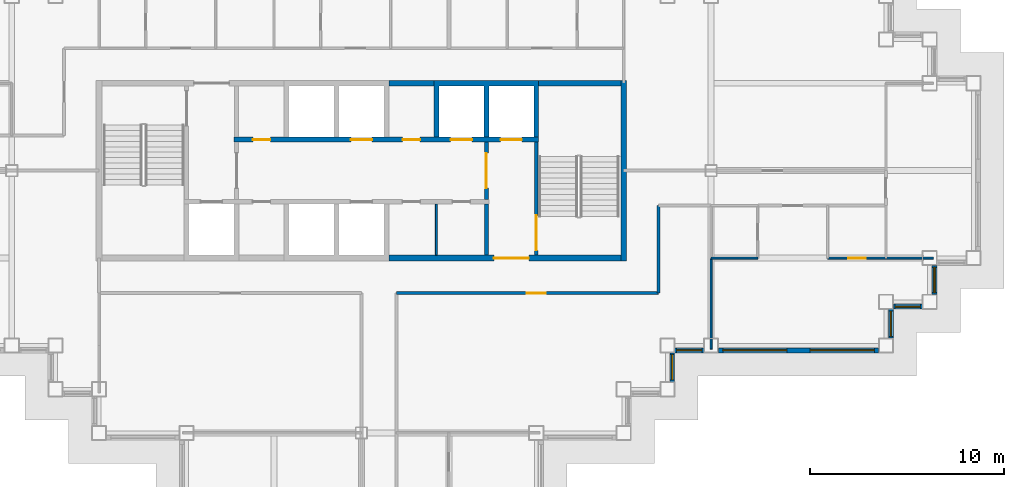
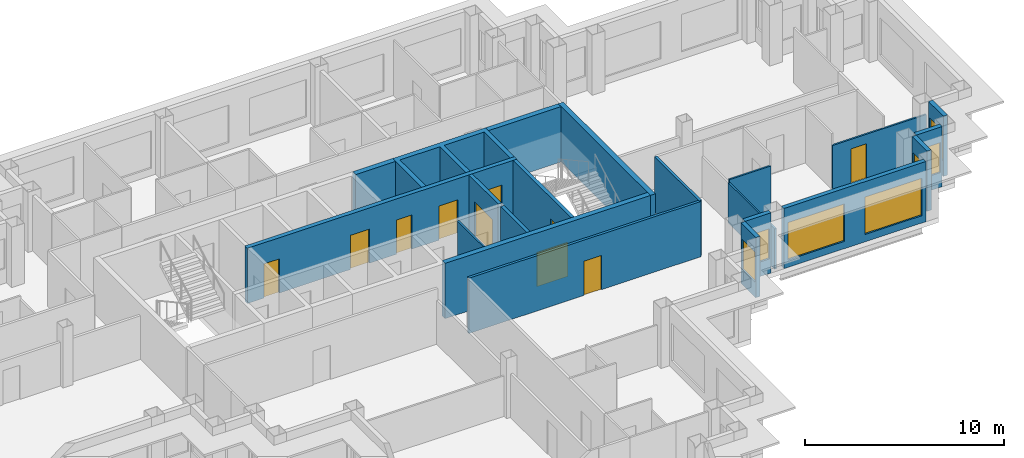
# One storey, part 6 of 13: 21 walls, 10 doors, 7 windows, 17 openings.
"""IFC4 building model written with IfcOpenShell, lengths in metres."""

from ifc_helpers import new_model, si_unit, direction, frame, frame_2d, origin, place, context, subcontext, project, spatial, polyline, rectangle, outline, extrude, material, layer, layer_set, type_object, element, fill, save


model = new_model("IFC4")

# Units and contexts
model_context = context("Model", 3, precision=1e-05, world=origin(), true_north=direction((0.0, 1.0)))
body_context = subcontext(model_context, "Body", "Model", "MODEL_VIEW")
ifc_project = project(units=[si_unit("LENGTHUNIT", "METRE"), si_unit("AREAUNIT", "SQUARE_METRE"), si_unit("VOLUMEUNIT", "CUBIC_METRE"), si_unit("PLANEANGLEUNIT", "RADIAN"), si_unit("MASSUNIT", "GRAM", prefix="KILO")], contexts=[model_context])

# Site, building, storey
site_placement = place(None, origin())
site = spatial("IfcSite", under=ifc_project, at=site_placement, CompositionType="ELEMENT")
building_placement = place(site_placement, origin())
building = spatial("IfcBuilding", under=site, at=building_placement, Name="Caravel Reach Hotel and Residences", CompositionType="ELEMENT")
storey_placement = place(building_placement, frame((0.0, 0.0, 180.199951171875)))
storey = spatial("IfcBuildingStorey", under=building, at=storey_placement, Name="L45", CompositionType="ELEMENT", Elevation=180.199951171875)

# Walls
ifc_material_1 = material(Name="Gypsum board on steel stud", Category="steel")
ifc_layer_1 = layer(ifc_material_1, 0.10009765625)
ifc_layer_set_1 = layer_set([ifc_layer_1], Name="Bathroom pod wall 100 mm")
wall_type_1 = type_object("IfcWallType", Name="Bathroom pod wall 100 mm", PredefinedType="PARTITIONING", material=ifc_layer_set_1)
wall_1_placement = place(storey_placement, frame((49.5, 22.5, 0.0), z_axis=(0.0, 0.0, 1.0), x_axis=(1.0, 0.0, 0.0)))
element("IfcWall", 1, at=wall_1_placement, inside=storey, type_object=wall_type_1, Name="L45 wall w072", PredefinedType="PARTITIONING", context=body_context, shape_type="SweptSolid", body=[
    extrude(rectangle(XDim=2.39990234375, YDim=0.10009765625, at=frame_2d((1.199951171875, 0.0))), origin(), (0.0, 0.0, 1.0), 2.679931640625),
])
ifc_material_2 = material(Name="Autoclaved aerated block wall")
ifc_layer_2 = layer(ifc_material_2, 0.199951171875)
ifc_layer_set_2 = layer_set([ifc_layer_2], Name="Compartment wall 200 mm EI 120")
wall_type_2 = type_object("IfcWallType", Name="Compartment wall 200 mm EI 120", PredefinedType="PARTITIONING", material=ifc_layer_set_2)
wall_2_placement = place(storey_placement, frame((37.928466796875, 22.64990234375, 0.0), z_axis=(0.0, 0.0, 1.0), x_axis=(0.0, 1.0, 0.0)))
element("IfcWall", 2, at=wall_2_placement, inside=storey, type_object=wall_type_2, Name="L45 store partition", PredefinedType="PARTITIONING", context=body_context, shape_type="SweptSolid", body=[
    extrude(rectangle(XDim=2.625, YDim=0.199951171875, at=frame_2d((1.3125, 0.0))), origin(), (0.0, 0.0, 1.0), 3.400146484375),
])

# Wall, opening, door
ifc_material_3 = material(Name="Concrete C60", Category="concrete")
ifc_layer_3 = layer(ifc_material_3, 0.300048828125)
ifc_layer_set_3 = layer_set([ifc_layer_3], Name="Core wall 300 mm EI 120")
wall_type_3 = type_object("IfcWallType", Name="Core wall 300 mm EI 120", PredefinedType="SHEAR", material=ifc_layer_set_3)
wall_3_placement = place(storey_placement, frame((32.91064453125, 22.5, 0.0), z_axis=(0.0, 0.0, 1.0), x_axis=(1.0, 0.0, 0.0)))
wall_3 = element("IfcWall", 3, at=wall_3_placement, inside=storey, type_object=wall_type_3, Name="L45 core wall S3", PredefinedType="SHEAR", context=body_context, shape_type="SweptSolid", body=[
    extrude(rectangle(XDim=11.939453125, YDim=0.300048828125, at=frame_2d((5.9697265625, 0.0))), origin(), (0.0, 0.0, 1.0), 3.400146484375),
])
opening_1_placement = place(wall_3_placement, frame((5.403564453125, 0.0, 0.0)))
opening_1 = element("IfcOpeningElement", 4, at=opening_1_placement, cuts=wall_3, Name="Opening D45-016", PredefinedType="OPENING", context=body_context, shape_type="SweptSolid", body=[
    extrude(rectangle(XDim=1.800048828125, YDim=2.10009765625, at=frame_2d((0.89990234375, 1.050048828125))), frame((0.0, 0.159912109375, 0.0), z_axis=(0.0, -1.0, 0.0), x_axis=(1.0, 0.0, 0.0)), (0.0, 0.0, 1.0), 0.320068359375),
])
ifc_material_4 = material(Name="Steel fire door leaf", Category="steel")
door_type_1 = type_object("IfcDoorType", Name="Fire lobby door pair 1800 x 2100 EI 90", OperationType="DOUBLE_DOOR_SINGLE_SWING", PredefinedType="DOOR", material=ifc_material_4)
door_1_placement = place(opening_1_placement, origin())
door_1 = element("IfcDoor", 5, at=door_1_placement, inside=storey, type_object=door_type_1, Name="lobby S door pair to corridor", OperationType="DOUBLE_DOOR_SINGLE_SWING", OverallHeight=2.10009765625, OverallWidth=1.800048828125, PredefinedType="DOOR", context=body_context, shape_type="SweptSolid", body=[
    extrude(rectangle(XDim=1.800048828125, YDim=2.10009765625, at=frame_2d((0.89990234375, 1.050048828125))), frame((0.0, 0.02490234375, 0.0), z_axis=(0.0, -1.0, 0.0), x_axis=(1.0, 0.0, 0.0)), (0.0, 0.0, 1.0), 0.050048828125),
])
fill(opening_1, door_1)

# Walls
wall_4_placement = place(storey_placement, frame((32.91064453125, 31.5, 0.0), z_axis=(0.0, 0.0, 1.0), x_axis=(1.0, 0.0, 0.0)))
element("IfcWall", 6, at=wall_4_placement, inside=storey, type_object=wall_type_3, Name="L45 core wall N2", PredefinedType="SHEAR", context=body_context, shape_type="SweptSolid", body=[
    extrude(rectangle(XDim=2.321533203125, YDim=0.300048828125, at=frame_2d((1.16064453125, 0.0))), origin(), (0.0, 0.0, 1.0), 3.400146484375),
])
wall_5_placement = place(storey_placement, frame((40.625, 31.5, 0.0), z_axis=(0.0, 0.0, 1.0), x_axis=(1.0, 0.0, 0.0)))
element("IfcWall", 7, at=wall_5_placement, inside=storey, type_object=wall_type_3, Name="L45 core wall N3", PredefinedType="SHEAR", context=body_context, shape_type="SweptSolid", body=[
    extrude(rectangle(XDim=4.22509765625, YDim=0.300048828125, at=frame_2d((2.112548828125, 0.0))), origin(), (0.0, 0.0, 1.0), 3.400146484375),
])
wall_6_placement = place(storey_placement, frame((45.0, 22.35009765625, 0.0), z_axis=(0.0, 0.0, 1.0), x_axis=(0.0, 1.0, 0.0)))
element("IfcWall", 8, at=wall_6_placement, inside=storey, type_object=wall_type_3, Name="L45 core wall E", PredefinedType="SHEAR", context=body_context, shape_type="SweptSolid", body=[
    extrude(rectangle(XDim=9.2998046875, YDim=0.300048828125, at=frame_2d((4.64990234375, 0.0))), origin(), (0.0, 0.0, 1.0), 3.400146484375),
])

# Wall, opening, door
ifc_material_5 = material(Name="Gypsum board on steel stud, fire-rated", Category="steel")
ifc_layer_4 = layer(ifc_material_5, 0.14990234375)
ifc_layer_set_4 = layer_set([ifc_layer_4], Name="Corridor wall 150 mm EI 60")
wall_type_4 = type_object("IfcWallType", Name="Corridor wall 150 mm EI 60", PredefinedType="PARTITIONING", material=ifc_layer_set_4)
wall_7_placement = place(storey_placement, frame((33.301025390625, 20.699951171875, 0.0), z_axis=(0.0, 0.0, 1.0), x_axis=(1.0, 0.0, 0.0)))
wall_7 = element("IfcWall", 9, at=wall_7_placement, inside=storey, type_object=wall_type_4, Name="L45 wall w001", PredefinedType="PARTITIONING", context=body_context, shape_type="SweptSolid", body=[
    extrude(rectangle(XDim=13.4990234375, YDim=0.14990234375, at=frame_2d((6.74951171875, 0.0))), origin(), (0.0, 0.0, 1.0), 3.400146484375),
])
opening_2_placement = place(wall_7_placement, frame((6.697998046875, 0.0, 0.0)))
opening_2 = element("IfcOpeningElement", 10, at=opening_2_placement, cuts=wall_7, Name="Opening D45-037", PredefinedType="OPENING", context=body_context, shape_type="SweptSolid", body=[
    extrude(rectangle(XDim=1.0, YDim=2.10009765625, at=frame_2d((0.5, 1.050048828125))), frame((0.0, 0.0849609375, 0.0), z_axis=(0.0, -1.0, 0.0), x_axis=(1.0, 0.0, 0.0)), (0.0, 0.0, 1.0), 0.169921875),
])
ifc_material_6 = material(Name="Steel fire door leaf", Category="steel")
door_type_2 = type_object("IfcDoorType", Name="Fire door 1000 x 2100 EI 60", OperationType="SINGLE_SWING_LEFT", PredefinedType="DOOR", material=ifc_material_6)
door_2_placement = place(opening_2_placement, origin())
door_2 = element("IfcDoor", 11, at=door_2_placement, inside=storey, type_object=door_type_2, Name="door D45-037", OperationType="SINGLE_SWING_RIGHT", OverallHeight=2.10009765625, OverallWidth=1.0, PredefinedType="DOOR", context=body_context, shape_type="SweptSolid", body=[
    extrude(rectangle(XDim=1.0, YDim=2.10009765625, at=frame_2d((0.5, 1.050048828125))), frame((0.0, 0.02490234375, 0.0), z_axis=(0.0, -1.0, 0.0), x_axis=(1.0, 0.0, 0.0)), (0.0, 0.0, 1.0), 0.050048828125),
])
fill(opening_2, door_2)

# Wall
wall_8_placement = place(storey_placement, frame((46.800048828125, 20.699951171875, 0.0), z_axis=(0.0, 0.0, 1.0), x_axis=(0.0, 1.0, 0.0)))
element("IfcWall", 12, at=wall_8_placement, inside=storey, type_object=wall_type_4, Name="L45 wall w030", PredefinedType="PARTITIONING", context=body_context, shape_type="SweptSolid", body=[
    extrude(rectangle(XDim=4.4990234375, YDim=0.14990234375, at=frame_2d((2.24951171875, 0.0))), origin(), (0.0, 0.0, 1.0), 3.400146484375),
])

# Wall, opening, window
ifc_material_7 = material(Name="Insulated rainscreen wall, aluminium cladding", Category="aluminium")
ifc_layer_5 = layer(ifc_material_7, 0.25)
ifc_layer_set_5 = layer_set([ifc_layer_5], Name="EW1 Tower rainscreen wall")
wall_type_5 = type_object("IfcWallType", Name="EW1 Tower rainscreen wall", PredefinedType="SOLIDWALL", material=ifc_layer_set_5)
wall_9_placement = place(storey_placement, frame((47.5, 16.125, 0.0), z_axis=(0.0, 0.0, 1.0), x_axis=(0.0, 1.0, 0.0)))
wall_9 = element("IfcWall", 13, at=wall_9_placement, inside=storey, type_object=wall_type_5, Name="External wall L45 E14.1", PredefinedType="SOLIDWALL", context=body_context, shape_type="SweptSolid", body=[
    extrude(rectangle(XDim=1.5, YDim=0.25, at=frame_2d((0.75, 0.0))), origin(), (0.0, 0.0, 1.0), 3.699951171875),
])
opening_3_placement = place(wall_9_placement, frame((0.10009765625, 0.0, 0.89990234375)))
opening_3 = element("IfcOpeningElement", 14, at=opening_3_placement, cuts=wall_9, Name="Opening WN16", PredefinedType="OPENING", context=body_context, shape_type="SweptSolid", body=[
    extrude(rectangle(XDim=1.300048828125, YDim=1.85009765625, at=frame_2d((0.64990234375, 0.925048828125))), frame((0.0, 0.135009765625, 0.0), z_axis=(0.0, -1.0, 0.0), x_axis=(1.0, 0.0, 0.0)), (0.0, 0.0, 1.0), 0.27001953125),
])
ifc_material_8 = material(Name="Dark low-e glazing in black aluminium frame", Category="aluminium")
window_type_1 = type_object("IfcWindowType", Name="Residence bedroom window 1300 x 1850", PartitioningType="SINGLE_PANEL", PredefinedType="WINDOW", material=ifc_material_8)
window_1_placement = place(opening_3_placement, origin())
window_1 = element("IfcWindow", 15, at=window_1_placement, inside=storey, type_object=window_type_1, Name="Window L45 E14.1.1", OverallHeight=1.85009765625, OverallWidth=1.300048828125, PartitioningType="SINGLE_PANEL", PredefinedType="WINDOW", context=body_context, shape_type="SweptSolid", body=[
    extrude(rectangle(XDim=1.300048828125, YDim=1.85009765625, at=frame_2d((0.64990234375, 0.925048828125))), frame((0.0, 0.030029296875, 0.0), z_axis=(0.0, -1.0, 0.0), x_axis=(1.0, 0.0, 0.0)), (0.0, 0.0, 1.0), 0.06005859375),
])
fill(opening_3, window_1)

wall_10_placement = place(storey_placement, frame((47.625, 17.75, 0.0), z_axis=(0.0, 0.0, 1.0), x_axis=(1.0, 0.0, 0.0)))
wall_10 = element("IfcWall", 16, at=wall_10_placement, inside=storey, type_object=wall_type_5, Name="External wall L45 S15.1", PredefinedType="SOLIDWALL", context=body_context, shape_type="SweptSolid", body=[
    extrude(rectangle(XDim=1.5, YDim=0.25, at=frame_2d((0.75, 0.0))), origin(), (0.0, 0.0, 1.0), 3.699951171875),
])
opening_4_placement = place(wall_10_placement, frame((0.10009765625, 0.0, 0.89990234375)))
opening_4 = element("IfcOpeningElement", 17, at=opening_4_placement, cuts=wall_10, Name="Opening WN16", PredefinedType="OPENING", context=body_context, shape_type="SweptSolid", body=[
    extrude(rectangle(XDim=1.300048828125, YDim=1.85009765625, at=frame_2d((0.64990234375, 0.925048828125))), frame((0.0, 0.135009765625, 0.0), z_axis=(0.0, -1.0, 0.0), x_axis=(1.0, 0.0, 0.0)), (0.0, 0.0, 1.0), 0.27001953125),
])
window_2_placement = place(opening_4_placement, origin())
window_2 = element("IfcWindow", 18, at=window_2_placement, inside=storey, type_object=window_type_1, Name="Window L45 S15.1.1", OverallHeight=1.85009765625, OverallWidth=1.300048828125, PartitioningType="SINGLE_PANEL", PredefinedType="WINDOW", context=body_context, shape_type="SweptSolid", body=[
    extrude(rectangle(XDim=1.300048828125, YDim=1.85009765625, at=frame_2d((0.64990234375, 0.925048828125))), frame((0.0, 0.030029296875, 0.0), z_axis=(0.0, -1.0, 0.0), x_axis=(1.0, 0.0, 0.0)), (0.0, 0.0, 1.0), 0.06005859375),
])
fill(opening_4, window_2)

# Wall, openings, windows
wall_11_placement = place(storey_placement, frame((49.875, 17.75, 0.0), z_axis=(0.0, 0.0, 1.0), x_axis=(1.0, 0.0, 0.0)))
wall_11 = element("IfcWall", 19, at=wall_11_placement, inside=storey, type_object=wall_type_5, Name="External wall L45 S15.2", PredefinedType="SOLIDWALL", context=body_context, shape_type="SweptSolid", body=[
    extrude(rectangle(XDim=8.25, YDim=0.25, at=frame_2d((4.125, 0.0))), origin(), (0.0, 0.0, 1.0), 3.699951171875),
])
opening_5_placement = place(wall_11_placement, frame((0.22509765625, 0.0, 0.449951171875)))
opening_5 = element("IfcOpeningElement", 20, at=opening_5_placement, cuts=wall_11, Name="Opening WN15", PredefinedType="OPENING", context=body_context, shape_type="SweptSolid", body=[
    extrude(rectangle(XDim=3.300048828125, YDim=2.300048828125, at=frame_2d((1.64990234375, 1.14990234375))), frame((0.0, 0.135009765625, 0.0), z_axis=(0.0, -1.0, 0.0), x_axis=(1.0, 0.0, 0.0)), (0.0, 0.0, 1.0), 0.27001953125),
])
opening_6_placement = place(wall_11_placement, frame((4.72509765625, 0.0, 0.449951171875)))
opening_6 = element("IfcOpeningElement", 21, at=opening_6_placement, cuts=wall_11, Name="Opening WN15", PredefinedType="OPENING", context=body_context, shape_type="SweptSolid", body=[
    extrude(rectangle(XDim=3.300048828125, YDim=2.300048828125, at=frame_2d((1.64990234375, 1.14990234375))), frame((0.0, 0.135009765625, 0.0), z_axis=(0.0, -1.0, 0.0), x_axis=(1.0, 0.0, 0.0)), (0.0, 0.0, 1.0), 0.27001953125),
])
ifc_material_9 = material(Name="Dark low-e glazing in black aluminium frame", Category="aluminium")
window_type_2 = type_object("IfcWindowType", Name="Residence living window 3300 x 2300", PartitioningType="SINGLE_PANEL", PredefinedType="WINDOW", material=ifc_material_9)
window_3_placement = place(opening_5_placement, origin())
window_3 = element("IfcWindow", 22, at=window_3_placement, inside=storey, type_object=window_type_2, Name="Window L45 S15.2.1", OverallHeight=2.300048828125, OverallWidth=3.300048828125, PartitioningType="SINGLE_PANEL", PredefinedType="WINDOW", context=body_context, shape_type="SweptSolid", body=[
    extrude(rectangle(XDim=3.300048828125, YDim=2.300048828125, at=frame_2d((1.64990234375, 1.14990234375))), frame((0.0, 0.030029296875, 0.0), z_axis=(0.0, -1.0, 0.0), x_axis=(1.0, 0.0, 0.0)), (0.0, 0.0, 1.0), 0.06005859375),
])
fill(opening_5, window_3)
window_4_placement = place(opening_6_placement, origin())
window_4 = element("IfcWindow", 23, at=window_4_placement, inside=storey, type_object=window_type_2, Name="Window L45 S15.2.2", OverallHeight=2.300048828125, OverallWidth=3.300048828125, PartitioningType="SINGLE_PANEL", PredefinedType="WINDOW", context=body_context, shape_type="SweptSolid", body=[
    extrude(rectangle(XDim=3.300048828125, YDim=2.300048828125, at=frame_2d((1.64990234375, 1.14990234375))), frame((0.0, 0.030029296875, 0.0), z_axis=(0.0, -1.0, 0.0), x_axis=(1.0, 0.0, 0.0)), (0.0, 0.0, 1.0), 0.06005859375),
])
fill(opening_6, window_4)

# Wall, opening, window
wall_12_placement = place(storey_placement, frame((58.75, 18.375, 0.0), z_axis=(0.0, 0.0, 1.0), x_axis=(0.0, 1.0, 0.0)))
wall_12 = element("IfcWall", 24, at=wall_12_placement, inside=storey, type_object=wall_type_5, Name="External wall L45 E16.1", PredefinedType="SOLIDWALL", context=body_context, shape_type="SweptSolid", body=[
    extrude(rectangle(XDim=1.5, YDim=0.25, at=frame_2d((0.75, 0.0))), origin(), (0.0, 0.0, 1.0), 3.699951171875),
])
opening_7_placement = place(wall_12_placement, frame((0.10009765625, 0.0, 0.89990234375)))
opening_7 = element("IfcOpeningElement", 25, at=opening_7_placement, cuts=wall_12, Name="Opening WN16", PredefinedType="OPENING", context=body_context, shape_type="SweptSolid", body=[
    extrude(rectangle(XDim=1.300048828125, YDim=1.85009765625, at=frame_2d((0.64990234375, 0.925048828125))), frame((0.0, 0.135009765625, 0.0), z_axis=(0.0, -1.0, 0.0), x_axis=(1.0, 0.0, 0.0)), (0.0, 0.0, 1.0), 0.27001953125),
])
window_5_placement = place(opening_7_placement, origin())
window_5 = element("IfcWindow", 26, at=window_5_placement, inside=storey, type_object=window_type_1, Name="Window L45 E16.1.1", OverallHeight=1.85009765625, OverallWidth=1.300048828125, PartitioningType="SINGLE_PANEL", PredefinedType="WINDOW", context=body_context, shape_type="SweptSolid", body=[
    extrude(rectangle(XDim=1.300048828125, YDim=1.85009765625, at=frame_2d((0.64990234375, 0.925048828125))), frame((0.0, 0.030029296875, 0.0), z_axis=(0.0, -1.0, 0.0), x_axis=(1.0, 0.0, 0.0)), (0.0, 0.0, 1.0), 0.06005859375),
])
fill(opening_7, window_5)

wall_13_placement = place(storey_placement, frame((58.875, 20.0, 0.0), z_axis=(0.0, 0.0, 1.0), x_axis=(1.0, 0.0, 0.0)))
wall_13 = element("IfcWall", 27, at=wall_13_placement, inside=storey, type_object=wall_type_5, Name="External wall L45 S17.1", PredefinedType="SOLIDWALL", context=body_context, shape_type="SweptSolid", body=[
    extrude(rectangle(XDim=1.5, YDim=0.25, at=frame_2d((0.75, 0.0))), origin(), (0.0, 0.0, 1.0), 3.699951171875),
])
opening_8_placement = place(wall_13_placement, frame((0.10009765625, 0.0, 0.89990234375)))
opening_8 = element("IfcOpeningElement", 28, at=opening_8_placement, cuts=wall_13, Name="Opening WN16", PredefinedType="OPENING", context=body_context, shape_type="SweptSolid", body=[
    extrude(rectangle(XDim=1.300048828125, YDim=1.85009765625, at=frame_2d((0.64990234375, 0.925048828125))), frame((0.0, 0.135009765625, 0.0), z_axis=(0.0, -1.0, 0.0), x_axis=(1.0, 0.0, 0.0)), (0.0, 0.0, 1.0), 0.27001953125),
])
window_6_placement = place(opening_8_placement, origin())
window_6 = element("IfcWindow", 29, at=window_6_placement, inside=storey, type_object=window_type_1, Name="Window L45 S17.1.1", OverallHeight=1.85009765625, OverallWidth=1.300048828125, PartitioningType="SINGLE_PANEL", PredefinedType="WINDOW", context=body_context, shape_type="SweptSolid", body=[
    extrude(rectangle(XDim=1.300048828125, YDim=1.85009765625, at=frame_2d((0.64990234375, 0.925048828125))), frame((0.0, 0.030029296875, 0.0), z_axis=(0.0, -1.0, 0.0), x_axis=(1.0, 0.0, 0.0)), (0.0, 0.0, 1.0), 0.06005859375),
])
fill(opening_8, window_6)

wall_14_placement = place(storey_placement, frame((61.0, 20.625, 0.0), z_axis=(0.0, 0.0, 1.0), x_axis=(0.0, 1.0, 0.0)))
wall_14 = element("IfcWall", 30, at=wall_14_placement, inside=storey, type_object=wall_type_5, Name="External wall L45 E18.1", PredefinedType="SOLIDWALL", context=body_context, shape_type="SweptSolid", body=[
    extrude(rectangle(XDim=1.5, YDim=0.25, at=frame_2d((0.75, 0.0))), origin(), (0.0, 0.0, 1.0), 3.699951171875),
])
opening_9_placement = place(wall_14_placement, frame((0.10009765625, 0.0, 0.89990234375)))
opening_9 = element("IfcOpeningElement", 31, at=opening_9_placement, cuts=wall_14, Name="Opening WN16", PredefinedType="OPENING", context=body_context, shape_type="SweptSolid", body=[
    extrude(rectangle(XDim=1.300048828125, YDim=1.85009765625, at=frame_2d((0.64990234375, 0.925048828125))), frame((0.0, 0.135009765625, 0.0), z_axis=(0.0, -1.0, 0.0), x_axis=(1.0, 0.0, 0.0)), (0.0, 0.0, 1.0), 0.27001953125),
])
window_7_placement = place(opening_9_placement, origin())
window_7 = element("IfcWindow", 32, at=window_7_placement, inside=storey, type_object=window_type_1, Name="Window L45 E18.1.1", OverallHeight=1.85009765625, OverallWidth=1.300048828125, PartitioningType="SINGLE_PANEL", PredefinedType="WINDOW", context=body_context, shape_type="SweptSolid", body=[
    extrude(rectangle(XDim=1.300048828125, YDim=1.85009765625, at=frame_2d((0.64990234375, 0.925048828125))), frame((0.0, 0.030029296875, 0.0), z_axis=(0.0, -1.0, 0.0), x_axis=(1.0, 0.0, 0.0)), (0.0, 0.0, 1.0), 0.06005859375),
])
fill(opening_9, window_7)

# Wall, opening, door
ifc_material_10 = material(Name="Autoclaved aerated block wall")
ifc_layer_6 = layer(ifc_material_10, 0.199951171875)
ifc_layer_set_6 = layer_set([ifc_layer_6], Name="Fire lobby wall 200 mm EI 120")
wall_type_6 = type_object("IfcWallType", Name="Fire lobby wall 200 mm EI 120", PredefinedType="PARTITIONING", material=ifc_layer_set_6)
wall_15_placement = place(storey_placement, frame((37.928466796875, 25.52490234375, 0.0), z_axis=(0.0, 0.0, 1.0), x_axis=(0.0, 1.0, 0.0)))
wall_15 = element("IfcWall", 33, at=wall_15_placement, inside=storey, type_object=wall_type_6, Name="L45 lobby E wall", PredefinedType="PARTITIONING", context=body_context, shape_type="SweptSolid", body=[
    extrude(rectangle(XDim=2.9501953125, YDim=0.199951171875, at=frame_2d((1.47509765625, 0.0))), origin(), (0.0, 0.0, 1.0), 3.400146484375),
])
opening_10_placement = place(wall_15_placement, frame((0.574951171875, 0.0, 0.0)))
opening_10 = element("IfcOpeningElement", 34, at=opening_10_placement, cuts=wall_15, Name="Opening D45-014", PredefinedType="OPENING", context=body_context, shape_type="SweptSolid", body=[
    extrude(rectangle(XDim=1.800048828125, YDim=2.10009765625, at=frame_2d((0.89990234375, 1.050048828125))), frame((0.0, 0.10986328125, 0.0), z_axis=(0.0, -1.0, 0.0), x_axis=(1.0, 0.0, 0.0)), (0.0, 0.0, 1.0), 0.219970703125),
])
door_3_placement = place(opening_10_placement, origin())
door_3 = element("IfcDoor", 35, at=door_3_placement, inside=storey, type_object=door_type_1, Name="lobby E door pair", OperationType="DOUBLE_DOOR_SINGLE_SWING", OverallHeight=2.10009765625, OverallWidth=1.800048828125, PredefinedType="DOOR", context=body_context, shape_type="SweptSolid", body=[
    extrude(rectangle(XDim=1.800048828125, YDim=2.10009765625, at=frame_2d((0.89990234375, 1.050048828125))), frame((0.0, 0.02490234375, 0.0), z_axis=(0.0, -1.0, 0.0), x_axis=(1.0, 0.0, 0.0)), (0.0, 0.0, 1.0), 0.050048828125),
])
fill(opening_10, door_3)

# Wall
ifc_material_11 = material(Name="Gypsum board on steel stud", Category="steel")
ifc_layer_7 = layer(ifc_material_11, 0.10009765625)
ifc_layer_set_7 = layer_set([ifc_layer_7], Name="Partition 100 mm")
wall_type_7 = type_object("IfcWallType", Name="Partition 100 mm", PredefinedType="PARTITIONING", material=ifc_layer_set_7)
wall_16_placement = place(storey_placement, frame((35.357177734375, 22.64990234375, 0.0), z_axis=(0.0, 0.0, 1.0), x_axis=(0.0, 1.0, 0.0)))
element("IfcWall", 36, at=wall_16_placement, inside=storey, type_object=wall_type_7, Name="L45 store partition", PredefinedType="PARTITIONING", context=body_context, shape_type="SweptSolid", body=[
    extrude(rectangle(XDim=2.625, YDim=0.10009765625, at=frame_2d((1.3125, 0.0))), origin(), (0.0, 0.0, 1.0), 3.400146484375),
])

# Wall, opening, door
wall_17_placement = place(storey_placement, frame((55.5, 22.5, 0.0), z_axis=(0.0, 0.0, 1.0), x_axis=(1.0, 0.0, 0.0)))
wall_17 = element("IfcWall", 37, at=wall_17_placement, inside=storey, type_object=wall_type_7, Name="L45 wall w037", PredefinedType="PARTITIONING", context=body_context, shape_type="SweptSolid", body=[
    extrude(rectangle(XDim=5.43994140625, YDim=0.10009765625, at=frame_2d((2.719970703125, 0.0))), origin(), (0.0, 0.0, 1.0), 2.679931640625),
])
opening_11_placement = place(wall_17_placement, frame((1.050048828125, 0.0, 0.0)))
opening_11 = element("IfcOpeningElement", 38, at=opening_11_placement, cuts=wall_17, Name="Opening D45-035", PredefinedType="OPENING", context=body_context, shape_type="SweptSolid", body=[
    extrude(rectangle(XDim=0.89990234375, YDim=2.10009765625, at=frame_2d((0.449951171875, 1.050048828125))), frame((0.0, 0.06005859375, 0.0), z_axis=(0.0, -1.0, 0.0), x_axis=(1.0, 0.0, 0.0)), (0.0, 0.0, 1.0), 0.1201171875),
])
ifc_material_12 = material(Name="Timber and steel door leaf", Category="steel")
door_type_3 = type_object("IfcDoorType", Name="Door 900 x 2100 timber", OperationType="SINGLE_SWING_LEFT", PredefinedType="DOOR", material=ifc_material_12)
door_4_placement = place(opening_11_placement, origin())
door_4 = element("IfcDoor", 39, at=door_4_placement, inside=storey, type_object=door_type_3, Name="door D45-035", OperationType="SINGLE_SWING_RIGHT", OverallHeight=2.10009765625, OverallWidth=0.89990234375, PredefinedType="DOOR", context=body_context, shape_type="SweptSolid", body=[
    extrude(rectangle(XDim=0.89990234375, YDim=2.10009765625, at=frame_2d((0.449951171875, 1.050048828125))), frame((0.0, 0.02490234375, 0.0), z_axis=(0.0, -1.0, 0.0), x_axis=(1.0, 0.0, 0.0)), (0.0, 0.0, 1.0), 0.050048828125),
])
fill(opening_11, door_4)

# Walls
wall_18_placement = place(storey_placement, frame((49.5, 17.81005859375, 0.0), z_axis=(0.0, 0.0, 1.0), x_axis=(0.0, 1.0, 0.0)))
element("IfcWall", 40, at=wall_18_placement, inside=storey, type_object=wall_type_7, Name="L45 wall w063", PredefinedType="PARTITIONING", context=body_context, shape_type="SweptSolid", body=[
    extrude(rectangle(XDim=4.68994140625, YDim=0.10009765625, at=frame_2d((2.344970703125, 0.0))), origin(), (0.0, 0.0, 1.0), 2.47998046875),
])
ifc_material_13 = material(Name="Concrete C60", Category="concrete")
ifc_layer_8 = layer(ifc_material_13, 0.25)
ifc_layer_set_8 = layer_set([ifc_layer_8], Name="Shaft wall 250 mm EI 120")
wall_type_8 = type_object("IfcWallType", Name="Shaft wall 250 mm EI 120", PredefinedType="SHEAR", material=ifc_layer_set_8)
wall_19_placement = place(storey_placement, origin())
element("IfcWall", 41, at=wall_19_placement, inside=storey, type_object=wall_type_8, Name="L45 lift shaft wall N2", PredefinedType="SHEAR", context=body_context, shape_type="SweptSolid", body=[
    extrude(outline(polyline([(35.232177734375, 28.72509765625), (35.482177734375, 28.72509765625), (35.482177734375, 31.35009765625), (37.803466796875, 31.35009765625), (37.803466796875, 28.72509765625), (38.053466796875, 28.72509765625), (38.053466796875, 31.35009765625), (40.375, 31.35009765625), (40.375, 28.72509765625), (40.625, 28.72509765625), (40.625, 31.64990234375), (35.232177734375, 31.64990234375), (35.232177734375, 28.72509765625)])), origin(), (0.0, 0.0, 1.0), 3.400146484375),
])

# Wall, openings, doors
wall_20_placement = place(storey_placement, frame((24.946533203125, 28.60009765625, 0.0), z_axis=(0.0, 0.0, 1.0), x_axis=(1.0, 0.0, 0.0)))
wall_20 = element("IfcWall", 42, at=wall_20_placement, inside=storey, type_object=wall_type_8, Name="L45 lobby wall N1", PredefinedType="SHEAR", context=body_context, shape_type="SweptSolid", body=[
    extrude(rectangle(XDim=15.678466796875, YDim=0.25, at=frame_2d((7.83935546875, 0.0))), origin(), (0.0, 0.0, 1.0), 3.400146484375),
])
opening_12_placement = place(wall_20_placement, frame((6.003662109375, 0.0, 0.0)))
opening_12 = element("IfcOpeningElement", 43, at=opening_12_placement, cuts=wall_20, Name="Opening D45-002", PredefinedType="OPENING", context=body_context, shape_type="SweptSolid", body=[
    extrude(rectangle(XDim=1.10009765625, YDim=2.10009765625, at=frame_2d((0.550048828125, 1.050048828125))), frame((0.0, 0.135009765625, 0.0), z_axis=(0.0, -1.0, 0.0), x_axis=(1.0, 0.0, 0.0)), (0.0, 0.0, 1.0), 0.27001953125),
])
opening_13_placement = place(wall_20_placement, frame((11.146484375, 0.0, 0.0)))
opening_13 = element("IfcOpeningElement", 44, at=opening_13_placement, cuts=wall_20, Name="Opening D45-003", PredefinedType="OPENING", context=body_context, shape_type="SweptSolid", body=[
    extrude(rectangle(XDim=1.10009765625, YDim=2.10009765625, at=frame_2d((0.550048828125, 1.050048828125))), frame((0.0, 0.135009765625, 0.0), z_axis=(0.0, -1.0, 0.0), x_axis=(1.0, 0.0, 0.0)), (0.0, 0.0, 1.0), 0.27001953125),
])
opening_14_placement = place(wall_20_placement, frame((13.718017578125, 0.0, 0.0)))
opening_14 = element("IfcOpeningElement", 45, at=opening_14_placement, cuts=wall_20, Name="Opening D45-005", PredefinedType="OPENING", context=body_context, shape_type="SweptSolid", body=[
    extrude(rectangle(XDim=1.10009765625, YDim=2.10009765625, at=frame_2d((0.550048828125, 1.050048828125))), frame((0.0, 0.135009765625, 0.0), z_axis=(0.0, -1.0, 0.0), x_axis=(1.0, 0.0, 0.0)), (0.0, 0.0, 1.0), 0.27001953125),
])
opening_15_placement = place(wall_20_placement, frame((0.960693359375, 0.0, 0.0)))
opening_15 = element("IfcOpeningElement", 46, at=opening_15_placement, cuts=wall_20, Name="Opening D45-009", PredefinedType="OPENING", context=body_context, shape_type="SweptSolid", body=[
    extrude(rectangle(XDim=0.89990234375, YDim=2.10009765625, at=frame_2d((0.449951171875, 1.050048828125))), frame((0.0, 0.135009765625, 0.0), z_axis=(0.0, -1.0, 0.0), x_axis=(1.0, 0.0, 0.0)), (0.0, 0.0, 1.0), 0.27001953125),
])
opening_16_placement = place(wall_20_placement, frame((8.675048828125, 0.0, 0.0)))
opening_16 = element("IfcOpeningElement", 47, at=opening_16_placement, cuts=wall_20, Name="Opening D45-010", PredefinedType="OPENING", context=body_context, shape_type="SweptSolid", body=[
    extrude(rectangle(XDim=0.89990234375, YDim=2.10009765625, at=frame_2d((0.449951171875, 1.050048828125))), frame((0.0, 0.135009765625, 0.0), z_axis=(0.0, -1.0, 0.0), x_axis=(1.0, 0.0, 0.0)), (0.0, 0.0, 1.0), 0.27001953125),
])
ifc_material_14 = material(Name="Stainless steel landing door", Category="steel")
door_type_4 = type_object("IfcDoorType", Name="Landing door LD 1100 x 2100 sliding", OperationType="DOUBLE_DOOR_SLIDING", PredefinedType="DOOR", material=ifc_material_14)
door_5_placement = place(opening_12_placement, origin())
door_5 = element("IfcDoor", 48, at=door_5_placement, inside=storey, type_object=door_type_4, Name="MP2 landing door", OperationType="DOUBLE_DOOR_SLIDING", OverallHeight=2.10009765625, OverallWidth=1.10009765625, PredefinedType="DOOR", context=body_context, shape_type="SweptSolid", body=[
    extrude(rectangle(XDim=1.10009765625, YDim=2.10009765625, at=frame_2d((0.550048828125, 1.050048828125))), frame((0.0, 0.02490234375, 0.0), z_axis=(0.0, -1.0, 0.0), x_axis=(1.0, 0.0, 0.0)), (0.0, 0.0, 1.0), 0.050048828125),
])
fill(opening_12, door_5)
door_6_placement = place(opening_13_placement, origin())
door_6 = element("IfcDoor", 49, at=door_6_placement, inside=storey, type_object=door_type_4, Name="MP3 landing door", OperationType="DOUBLE_DOOR_SLIDING", OverallHeight=2.10009765625, OverallWidth=1.10009765625, PredefinedType="DOOR", context=body_context, shape_type="SweptSolid", body=[
    extrude(rectangle(XDim=1.10009765625, YDim=2.10009765625, at=frame_2d((0.550048828125, 1.050048828125))), frame((0.0, 0.02490234375, 0.0), z_axis=(0.0, -1.0, 0.0), x_axis=(1.0, 0.0, 0.0)), (0.0, 0.0, 1.0), 0.050048828125),
])
fill(opening_13, door_6)
door_7_placement = place(opening_14_placement, origin())
door_7 = element("IfcDoor", 50, at=door_7_placement, inside=storey, type_object=door_type_4, Name="FL2 landing door", OperationType="DOUBLE_DOOR_SLIDING", OverallHeight=2.10009765625, OverallWidth=1.10009765625, PredefinedType="DOOR", context=body_context, shape_type="SweptSolid", body=[
    extrude(rectangle(XDim=1.10009765625, YDim=2.10009765625, at=frame_2d((0.550048828125, 1.050048828125))), frame((0.0, 0.02490234375, 0.0), z_axis=(0.0, -1.0, 0.0), x_axis=(1.0, 0.0, 0.0)), (0.0, 0.0, 1.0), 0.050048828125),
])
fill(opening_14, door_7)
ifc_material_15 = material(Name="Steel fire door leaf", Category="steel")
door_type_5 = type_object("IfcDoorType", Name="Riser door 900 x 2100 EI 60", OperationType="SINGLE_SWING_LEFT", PredefinedType="DOOR", material=ifc_material_15)
door_8_placement = place(opening_15_placement, origin())
door_8 = element("IfcDoor", 51, at=door_8_placement, inside=storey, type_object=door_type_5, Name="Telecom room door", OperationType="SINGLE_SWING_LEFT", OverallHeight=2.10009765625, OverallWidth=0.89990234375, PredefinedType="DOOR", context=body_context, shape_type="SweptSolid", body=[
    extrude(rectangle(XDim=0.89990234375, YDim=2.10009765625, at=frame_2d((0.449951171875, 1.050048828125))), frame((0.0, 0.02490234375, 0.0), z_axis=(0.0, -1.0, 0.0), x_axis=(1.0, 0.0, 0.0)), (0.0, 0.0, 1.0), 0.050048828125),
])
fill(opening_15, door_8)
door_9_placement = place(opening_16_placement, origin())
door_9 = element("IfcDoor", 52, at=door_9_placement, inside=storey, type_object=door_type_5, Name="Recycling store door", OperationType="SINGLE_SWING_LEFT", OverallHeight=2.10009765625, OverallWidth=0.89990234375, PredefinedType="DOOR", context=body_context, shape_type="SweptSolid", body=[
    extrude(rectangle(XDim=0.89990234375, YDim=2.10009765625, at=frame_2d((0.449951171875, 1.050048828125))), frame((0.0, 0.02490234375, 0.0), z_axis=(0.0, -1.0, 0.0), x_axis=(1.0, 0.0, 0.0)), (0.0, 0.0, 1.0), 0.050048828125),
])
fill(opening_16, door_9)

# Wall, opening, door
ifc_material_16 = material(Name="Concrete C60", Category="concrete")
ifc_layer_9 = layer(ifc_material_16, 0.199951171875)
ifc_layer_set_9 = layer_set([ifc_layer_9], Name="Stair enclosure wall 200 mm EI 120")
wall_type_9 = type_object("IfcWallType", Name="Stair enclosure wall 200 mm EI 120", PredefinedType="SHEAR", material=ifc_layer_set_9)
wall_21_placement = place(storey_placement, frame((40.5, 22.64990234375, 0.0), z_axis=(0.0, 0.0, 1.0), x_axis=(0.0, 1.0, 0.0)))
wall_21 = element("IfcWall", 53, at=wall_21_placement, inside=storey, type_object=wall_type_9, Name="L45 stair B wall", PredefinedType="SHEAR", context=body_context, shape_type="SweptSolid", body=[
    extrude(rectangle(XDim=5.8251953125, YDim=0.199951171875, at=frame_2d((2.91259765625, 0.0))), origin(), (0.0, 0.0, 1.0), 3.400146484375),
])
opening_17_placement = place(wall_21_placement, frame((0.25, 0.0, 0.0)))
opening_17 = element("IfcOpeningElement", 54, at=opening_17_placement, cuts=wall_21, Name="Opening D45-012", PredefinedType="OPENING", context=body_context, shape_type="SweptSolid", body=[
    extrude(rectangle(XDim=1.800048828125, YDim=2.10009765625, at=frame_2d((0.89990234375, 1.050048828125))), frame((0.0, 0.10986328125, 0.0), z_axis=(0.0, -1.0, 0.0), x_axis=(1.0, 0.0, 0.0)), (0.0, 0.0, 1.0), 0.219970703125),
])
ifc_material_17 = material(Name="Steel fire door leaf", Category="steel")
door_type_6 = type_object("IfcDoorType", Name="Stair door pair 1800 x 2100 EI 90", OperationType="DOUBLE_DOOR_SINGLE_SWING", PredefinedType="DOOR", material=ifc_material_17)
door_10_placement = place(opening_17_placement, origin())
door_10 = element("IfcDoor", 55, at=door_10_placement, inside=storey, type_object=door_type_6, Name="stair B door pair", OperationType="DOUBLE_DOOR_SINGLE_SWING", OverallHeight=2.10009765625, OverallWidth=1.800048828125, PredefinedType="DOOR", context=body_context, shape_type="SweptSolid", body=[
    extrude(rectangle(XDim=1.800048828125, YDim=2.10009765625, at=frame_2d((0.89990234375, 1.050048828125))), frame((0.0, 0.02490234375, 0.0), z_axis=(0.0, -1.0, 0.0), x_axis=(1.0, 0.0, 0.0)), (0.0, 0.0, 1.0), 0.050048828125),
])
fill(opening_17, door_10)

save(model, "model.ifc")
